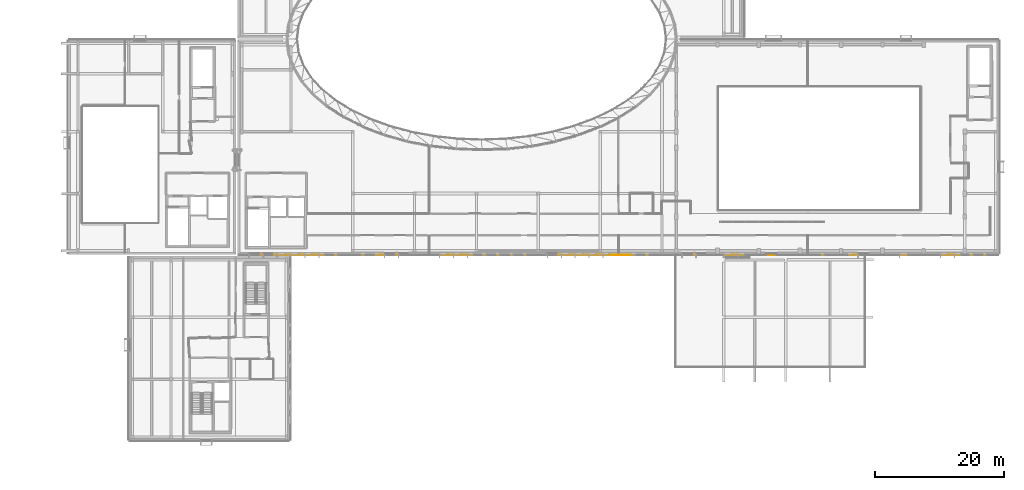
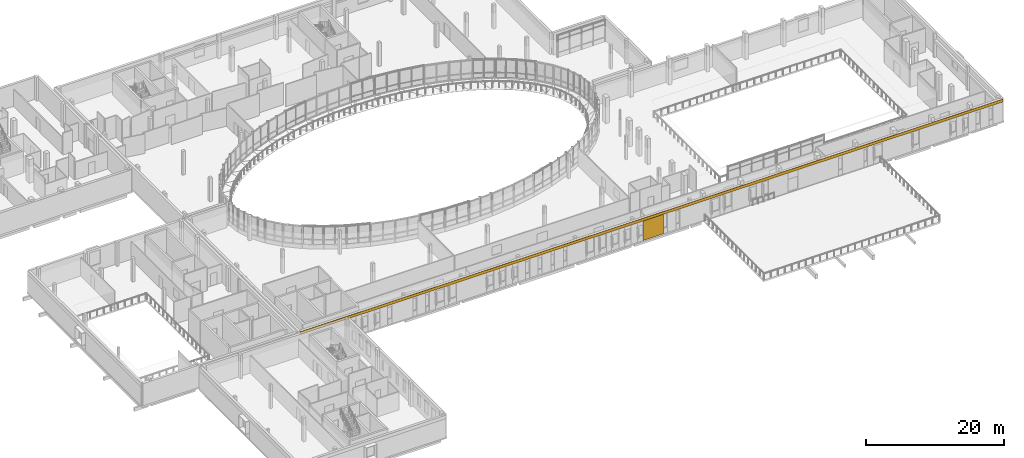
# One storey, part 59 of 73: 2 coverings.
"""IFC4 building model written with IfcOpenShell, lengths in metres."""

from ifc_helpers import new_model, si_unit, direction, frame, origin, origin_2d, place, context, subcontext, project, spatial, rectangle, extrude, material, layer, layer_set, type_object, element, save


model = new_model("IFC4")

# Units and contexts
model_context = context("Model", 3, precision=1e-05, world=origin(), true_north=direction((0.0, 1.0)))
body_context = subcontext(model_context, "Body", "Model", "MODEL_VIEW")
ifc_project = project(units=[si_unit("LENGTHUNIT", "METRE"), si_unit("AREAUNIT", "SQUARE_METRE"), si_unit("VOLUMEUNIT", "CUBIC_METRE"), si_unit("PLANEANGLEUNIT", "RADIAN"), si_unit("MASSUNIT", "GRAM", prefix="KILO")], contexts=[model_context])

# Site, building, storey
site_placement = place(None, origin())
site = spatial("IfcSite", under=ifc_project, at=site_placement, CompositionType="ELEMENT")
building_placement = place(site_placement, origin())
building = spatial("IfcBuilding", under=site, at=building_placement, Name="Mzevani Central Library", CompositionType="ELEMENT")
storey_placement = place(building_placement, frame((0.0, 0.0, 9.60009765625)))
storey = spatial("IfcBuildingStorey", under=building, at=storey_placement, Name="L02", CompositionType="ELEMENT", Elevation=9.60009765625)

# Coverings
ifc_material = material(Name="Limestone ashlar cladding", Category="masonry")
ifc_layer = layer(ifc_material, 0.050048828125, Name="Limestone Ashlar Spandrel Cladding")
ifc_layer_set = layer_set([ifc_layer], Name="Limestone ashlar cladding")
covering_type = type_object("IfcCoveringType", Name="Limestone Ashlar Spandrel Cladding", PredefinedType="CLADDING", material=ifc_layer_set)
covering_1_placement = place(storey_placement, frame((105.25, 42.47607421875, 3.44970703125), z_axis=(0.0, 0.0, 1.0), x_axis=(-1.0, 0.0, 0.0)))
element("IfcCovering", 1, at=covering_1_placement, inside=storey, type_object=covering_type, Name="L02 Warm-White Facade Spandrel (EW4-V1-L02-0011)", PredefinedType="CLADDING", context=body_context, shape_type="SweptSolid", body=[
    extrude(rectangle(XDim=117.8798828125, YDim=0.050048828125, at=origin_2d()), origin(), (0.0, 0.0, 1.0), 0.489990234375),
])
covering_2_placement = place(storey_placement, frame((105.5224609375, 42.47607421875, 0.0), z_axis=(0.0, 0.0, 1.0), x_axis=(-1.0, 0.0, 0.0)))
element("IfcCovering", 2, at=covering_2_placement, inside=storey, type_object=covering_type, Name="L02 Warm-White Facade Pier 30 (EW4-V1-L02-0011)", PredefinedType="CLADDING", context=body_context, shape_type="SweptSolid", body=[
    extrude(rectangle(XDim=3.385009765625, YDim=0.050048828125, at=origin_2d()), origin(), (0.0, 0.0, 1.0), 3.449951171875),
])

save(model, "model.ifc")
